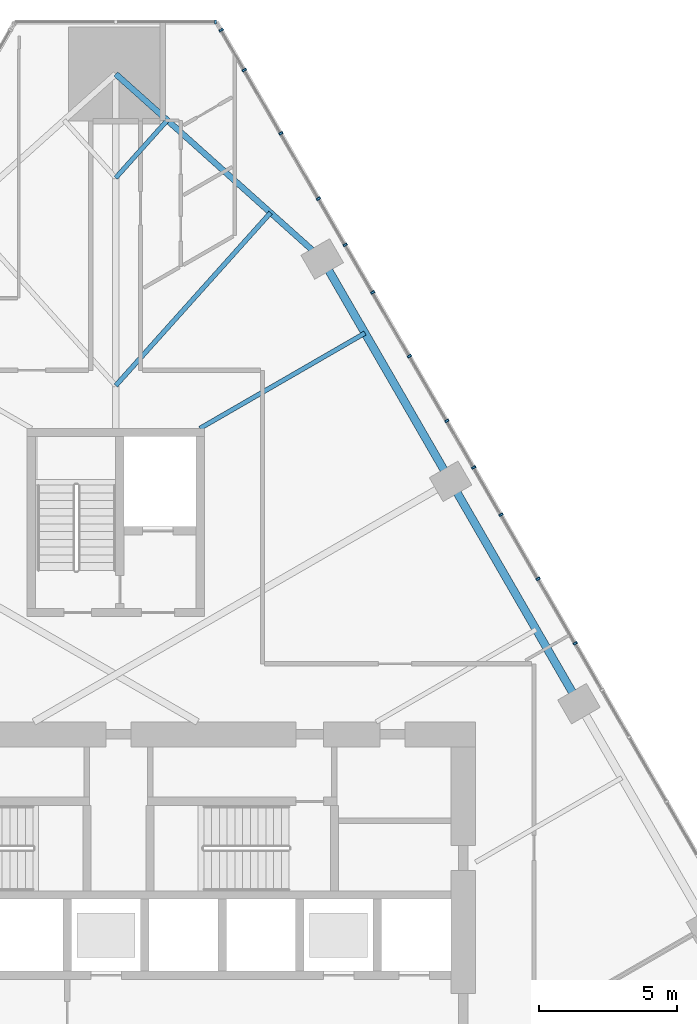
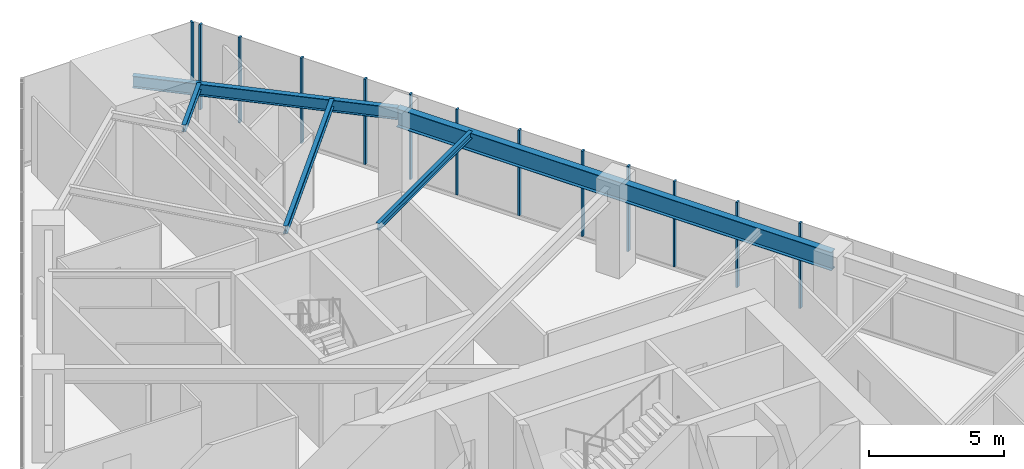
# One storey, part 10 of 22: 13 members, 5 beams, 2 elements without a shape of their own.
"""IFC4 building model written with IfcOpenShell, lengths in metres."""

from ifc_helpers import new_model, si_unit, direction, frame, origin, origin_2d, place, context, subcontext, project, spatial, rectangle, i_section, extrude, material, layer, layer_set, material_profile, profile_set, type_object, element, aggregate, save


model = new_model("IFC4")

# Units and contexts
model_context = context("Model", 3, precision=1e-05, world=origin(), true_north=direction((0.0, 1.0)))
body_context = subcontext(model_context, "Body", "Model", "MODEL_VIEW")
ifc_project = project(units=[si_unit("LENGTHUNIT", "METRE"), si_unit("AREAUNIT", "SQUARE_METRE"), si_unit("VOLUMEUNIT", "CUBIC_METRE"), si_unit("PLANEANGLEUNIT", "RADIAN"), si_unit("MASSUNIT", "GRAM", prefix="KILO")], contexts=[model_context])

# Site, building, storey
site_placement = place(None, origin())
site = spatial("IfcSite", under=ifc_project, at=site_placement, CompositionType="ELEMENT")
building_placement = place(site_placement, origin())
building = spatial("IfcBuilding", under=site, at=building_placement, Name="Firuza Gate Tower and Library", CompositionType="ELEMENT")
storey_placement = place(building_placement, frame((0.0, 0.0, 128.199951171875)))
storey = spatial("IfcBuildingStorey", under=building, at=storey_placement, Name="L29", CompositionType="ELEMENT", Elevation=128.199951171875)

# Curtain wall, members
ifc_material_1 = material(Name="Aluminium 6063-T6", Category="aluminium")
ifc_layer_1 = layer(ifc_material_1, 0.14990234375)
ifc_layer_set_1 = layer_set([ifc_layer_1], Name="Unitised curtain wall, offices")
curtain_wall_type_1 = type_object("IfcCurtainWallType", Name="Unitised curtain wall, offices", PredefinedType="NOTDEFINED", material=ifc_layer_set_1)
placement = place(storey_placement, origin())
curtain_wall_1 = element("IfcCurtainWall", 1, at=placement, inside=storey, type_object=curtain_wall_type_1, Name="CW1 L29 E face", PredefinedType="NOTDEFINED")
ifc_material_2 = material(Name="Aluminium 6063-T6", Category="aluminium")
ifc_material_profile_1 = material_profile(ifc_material_2, rectangle(XDim=0.14990234375, YDim=0.080078125, at=origin_2d()))
ifc_profile_set_1 = profile_set([ifc_material_profile_1], Name="Aluminium 6063-T6")
member_type = type_object("IfcMemberType", Name="Curtain wall mullion 80x150", PredefinedType="MULLION", material=ifc_profile_set_1)
member_1_placement = place(storey_placement, frame((90.251708984375, 89.167236328125, 0.150146484375), z_axis=(0.0, 0.0, 1.0), x_axis=(-0.866025403784, -0.5, 0.0)))
member_1 = element("IfcMember", 2, at=member_1_placement, type_object=member_type, Name="Mullion", PredefinedType="MULLION", context=body_context, shape_type="SweptSolid", body=[
    extrude(rectangle(XDim=0.14990234375, YDim=0.080078125, at=origin_2d()), origin(), (0.0, 0.0, 1.0), 3.849853515625),
])
member_2_placement = place(storey_placement, frame((87.929931640625, 93.1884765625, 0.150146484375), z_axis=(0.0, 0.0, 1.0), x_axis=(-0.866025403784, -0.5, 0.0)))
member_2 = element("IfcMember", 3, at=member_2_placement, type_object=member_type, Name="Mullion", PredefinedType="MULLION", context=body_context, shape_type="SweptSolid", body=[
    extrude(rectangle(XDim=0.14990234375, YDim=0.080078125, at=origin_2d()), origin(), (0.0, 0.0, 1.0), 3.849853515625),
])
member_3_placement = place(storey_placement, frame((85.6083984375, 97.209716796875, 0.150146484375), z_axis=(0.0, 0.0, 1.0), x_axis=(-0.866025403784, -0.5, 0.0)))
member_3 = element("IfcMember", 4, at=member_3_placement, type_object=member_type, Name="Mullion", PredefinedType="MULLION", context=body_context, shape_type="SweptSolid", body=[
    extrude(rectangle(XDim=0.14990234375, YDim=0.080078125, at=origin_2d()), origin(), (0.0, 0.0, 1.0), 3.849853515625),
])
member_4_placement = place(storey_placement, frame((83.28662109375, 101.23095703125, 0.150146484375), z_axis=(0.0, 0.0, 1.0), x_axis=(-0.866025403784, -0.5, 0.0)))
member_4 = element("IfcMember", 5, at=member_4_placement, type_object=member_type, Name="Mullion", PredefinedType="MULLION", context=body_context, shape_type="SweptSolid", body=[
    extrude(rectangle(XDim=0.14990234375, YDim=0.080078125, at=origin_2d()), origin(), (0.0, 0.0, 1.0), 3.849853515625),
])
member_5_placement = place(storey_placement, frame((80.965087890625, 105.25244140625, 0.150146484375), z_axis=(0.0, 0.0, 1.0), x_axis=(-0.866025403784, -0.5, 0.0)))
member_5 = element("IfcMember", 6, at=member_5_placement, type_object=member_type, Name="Mullion", PredefinedType="MULLION", context=body_context, shape_type="SweptSolid", body=[
    extrude(rectangle(XDim=0.14990234375, YDim=0.080078125, at=origin_2d()), origin(), (0.0, 0.0, 1.0), 3.849853515625),
])
member_6_placement = place(storey_placement, frame((91.59521484375, 86.840087890625, 0.150146484375), z_axis=(0.0, 0.0, 1.0), x_axis=(-0.866025403784, -0.5, 0.0)))
member_6 = element("IfcMember", 7, at=member_6_placement, type_object=member_type, Name="Mullion", PredefinedType="MULLION", context=body_context, shape_type="SweptSolid", body=[
    extrude(rectangle(XDim=0.14990234375, YDim=0.080078125, at=origin_2d()), origin(), (0.0, 0.0, 1.0), 3.849853515625),
])
member_7_placement = place(storey_placement, frame((88.915283203125, 91.48193359375, 0.150146484375), z_axis=(0.0, 0.0, 1.0), x_axis=(-0.866025403784, -0.5, 0.0)))
member_7 = element("IfcMember", 8, at=member_7_placement, type_object=member_type, Name="Mullion", PredefinedType="MULLION", context=body_context, shape_type="SweptSolid", body=[
    extrude(rectangle(XDim=0.14990234375, YDim=0.080078125, at=origin_2d()), origin(), (0.0, 0.0, 1.0), 3.849853515625),
])
member_8_placement = place(storey_placement, frame((86.959228515625, 94.8701171875, 0.150146484375), z_axis=(0.0, 0.0, 1.0), x_axis=(-0.866025403784, -0.5, 0.0)))
member_8 = element("IfcMember", 9, at=member_8_placement, type_object=member_type, Name="Mullion", PredefinedType="MULLION", context=body_context, shape_type="SweptSolid", body=[
    extrude(rectangle(XDim=0.14990234375, YDim=0.080078125, at=origin_2d()), origin(), (0.0, 0.0, 1.0), 3.849853515625),
])
member_9_placement = place(storey_placement, frame((84.279052734375, 99.511962890625, 0.150146484375), z_axis=(0.0, 0.0, 1.0), x_axis=(-0.866025403784, -0.5, 0.0)))
member_9 = element("IfcMember", 10, at=member_9_placement, type_object=member_type, Name="Mullion", PredefinedType="MULLION", context=body_context, shape_type="SweptSolid", body=[
    extrude(rectangle(XDim=0.14990234375, YDim=0.080078125, at=origin_2d()), origin(), (0.0, 0.0, 1.0), 3.849853515625),
])
member_10_placement = place(storey_placement, frame((82.322998046875, 102.900146484375, 0.150146484375), z_axis=(0.0, 0.0, 1.0), x_axis=(-0.866025403784, -0.5, 0.0)))
member_10 = element("IfcMember", 11, at=member_10_placement, type_object=member_type, Name="Mullion", PredefinedType="MULLION", context=body_context, shape_type="SweptSolid", body=[
    extrude(rectangle(XDim=0.14990234375, YDim=0.080078125, at=origin_2d()), origin(), (0.0, 0.0, 1.0), 3.849853515625),
])
member_11_placement = place(storey_placement, frame((79.64306640625, 107.5419921875, 0.150146484375), z_axis=(0.0, 0.0, 1.0), x_axis=(-0.866025403784, -0.5, 0.0)))
member_11 = element("IfcMember", 12, at=member_11_placement, type_object=member_type, Name="Mullion", PredefinedType="MULLION", context=body_context, shape_type="SweptSolid", body=[
    extrude(rectangle(XDim=0.14990234375, YDim=0.080078125, at=origin_2d()), origin(), (0.0, 0.0, 1.0), 3.849853515625),
])
member_12_placement = place(storey_placement, frame((78.808837890625, 108.98681640625, 0.150146484375), z_axis=(0.0, 0.0, 1.0), x_axis=(-0.866025403784, -0.5, 0.0)))
member_12 = element("IfcMember", 13, at=member_12_placement, type_object=member_type, Name="Mullion", PredefinedType="MULLION", context=body_context, shape_type="SweptSolid", body=[
    extrude(rectangle(XDim=0.14990234375, YDim=0.080078125, at=origin_2d()), origin(), (0.0, 0.0, 1.0), 3.849853515625),
])
aggregate(curtain_wall_1, [member_1, member_2, member_3, member_4, member_5, member_6, member_7, member_8, member_9, member_10, member_11, member_12])

# Curtain wall, member
ifc_material_3 = material(Name="Aluminium 6063-T6", Category="aluminium")
ifc_layer_2 = layer(ifc_material_3, 0.14990234375)
ifc_layer_set_2 = layer_set([ifc_layer_2], Name="Corner curtain wall, chamfers")
curtain_wall_type_2 = type_object("IfcCurtainWallType", Name="Corner curtain wall, chamfers", PredefinedType="NOTDEFINED", material=ifc_layer_set_2)
curtain_wall_2 = element("IfcCurtainWall", 14, at=placement, inside=storey, type_object=curtain_wall_type_2, Name="CW4 L29 N corner", PredefinedType="NOTDEFINED")
member_13_placement = place(storey_placement, frame((78.603271484375, 109.273681640625, 0.150146484375), z_axis=(0.0, 0.0, 1.0), x_axis=(0.0, -1.0, 0.0)))
member_13 = element("IfcMember", 15, at=member_13_placement, type_object=member_type, Name="Mullion", PredefinedType="MULLION", context=body_context, shape_type="SweptSolid", body=[
    extrude(rectangle(XDim=0.14990234375, YDim=0.080078125, at=origin_2d()), origin(), (0.0, 0.0, 1.0), 3.849853515625),
])
aggregate(curtain_wall_2, [member_13])

# Beams
ifc_material_4 = material(Name="Steel S355", Category="steel")
ifc_material_profile_2 = material_profile(ifc_material_4, i_section(OverallWidth=0.1650390625, OverallDepth=0.31005859375, WebThickness=0.005859375, FlangeThickness=0.009765625, at=origin_2d()))
ifc_profile_set_2 = profile_set([ifc_material_profile_2], Name="Steel S355")
beam_type_1 = type_object("IfcBeamType", Name="W310x39 Floor beam", PredefinedType="JOIST", material=ifc_profile_set_2)
beam_1_placement = place(storey_placement, frame((84.002197265625, 98.0419921875, 3.844970703125), z_axis=(-0.866030259979, -0.49999158873, 0.0), x_axis=(0.49999158873, -0.866030259979, 0.0)))
element("IfcBeam", 16, at=beam_1_placement, inside=storey, type_object=beam_type_1, Name="Floor beam L29 s55", PredefinedType="JOIST", context=body_context, shape_type="SweptSolid", body=[
    extrude(i_section(OverallWidth=0.1650390625, OverallDepth=0.31005859375, WebThickness=0.005859375, FlangeThickness=0.009765625, at=origin_2d()), origin(), (0.0, 0.0, 1.0), 6.8837890625),
])
beam_2_placement = place(storey_placement, frame((76.8642578125, 105.728515625, 3.844970703125), z_axis=(-0.667287711118, -0.744800047389, 0.0), x_axis=(0.744800047389, -0.667287711118, 0.0)))
element("IfcBeam", 17, at=beam_2_placement, inside=storey, type_object=beam_type_1, Name="Floor beam L29 s61", PredefinedType="JOIST", context=body_context, shape_type="SweptSolid", body=[
    extrude(i_section(OverallWidth=0.1650390625, OverallDepth=0.31005859375, WebThickness=0.005859375, FlangeThickness=0.009765625, at=origin_2d()), origin(), (0.0, 0.0, 1.0), 2.793701171875),
])
ifc_material_5 = material(Name="Steel S355", Category="steel")
ifc_material_profile_3 = material_profile(ifc_material_5, i_section(OverallWidth=0.1708984375, OverallDepth=0.35498046875, WebThickness=0.007080078125, FlangeThickness=0.01171875, at=origin_2d()))
ifc_profile_set_3 = profile_set([ifc_material_profile_3], Name="Steel S355")
beam_type_2 = type_object("IfcBeamType", Name="W360x51 Floor beam", PredefinedType="JOIST", material=ifc_profile_set_3)
beam_3_placement = place(storey_placement, frame((80.592529296875, 102.388671875, 3.822509765625), z_axis=(-0.667242598302, -0.744840462792, 0.0), x_axis=(0.744840462792, -0.667242598302, 0.0)))
element("IfcBeam", 18, at=beam_3_placement, inside=storey, type_object=beam_type_2, Name="Floor beam L29 s60", PredefinedType="JOIST", context=body_context, shape_type="SweptSolid", body=[
    extrude(i_section(OverallWidth=0.1708984375, OverallDepth=0.35498046875, WebThickness=0.007080078125, FlangeThickness=0.01171875, at=origin_2d()), origin(), (0.0, 0.0, 1.0), 8.381591796875),
])
ifc_material_6 = material(Name="Steel S355", Category="steel")
ifc_material_profile_4 = material_profile(ifc_material_6, i_section(OverallWidth=0.212890625, OverallDepth=0.5390625, WebThickness=0.01171875, FlangeThickness=0.018798828125, at=origin_2d()))
ifc_profile_set_4 = profile_set([ifc_material_profile_4], Name="Steel S355")
beam_type_3 = type_object("IfcBeamType", Name="W530x109 Edge beam", PredefinedType="SPANDREL", material=ifc_profile_set_4)
beam_4_placement = place(storey_placement, frame((82.456787109375, 100.718505859375, 3.73046875), z_axis=(-0.744828518345, 0.667255931603, 0.0), x_axis=(-0.667255931603, -0.744828518345, 0.0)))
element("IfcBeam", 19, at=beam_4_placement, inside=storey, type_object=beam_type_3, Name="Edge beam L29 e60", PredefinedType="SPANDREL", context=body_context, shape_type="SweptSolid", body=[
    extrude(i_section(OverallWidth=0.212890625, OverallDepth=0.5390625, WebThickness=0.01171875, FlangeThickness=0.018798828125, at=origin_2d()), origin(), (0.0, 0.0, 1.0), 10.011474609375),
])
ifc_material_7 = material(Name="Steel S355", Category="steel")
ifc_material_profile_5 = material_profile(ifc_material_7, i_section(OverallWidth=0.2919921875, OverallDepth=0.8349609375, WebThickness=0.013916015625, FlangeThickness=0.018798828125, at=origin_2d()))
ifc_profile_set_5 = profile_set([ifc_material_profile_5], Name="Steel S355")
beam_type_4 = type_object("IfcBeamType", Name="W840x176 Edge beam", PredefinedType="SPANDREL", material=ifc_profile_set_5)
beam_5_placement = place(storey_placement, frame((91.72900390625, 84.658447265625, 3.58251953125), z_axis=(-0.499997478145, 0.866026859773, 0.0), x_axis=(-0.866026859773, -0.499997478145, 0.0)))
element("IfcBeam", 20, at=beam_5_placement, inside=storey, type_object=beam_type_4, Name="Edge beam L29 e52", PredefinedType="SPANDREL", context=body_context, shape_type="SweptSolid", body=[
    extrude(i_section(OverallWidth=0.2919921875, OverallDepth=0.8349609375, WebThickness=0.013916015625, FlangeThickness=0.018798828125, at=origin_2d()), origin(), (0.0, 0.0, 1.0), 18.54443359375),
])

save(model, "model.ifc")
